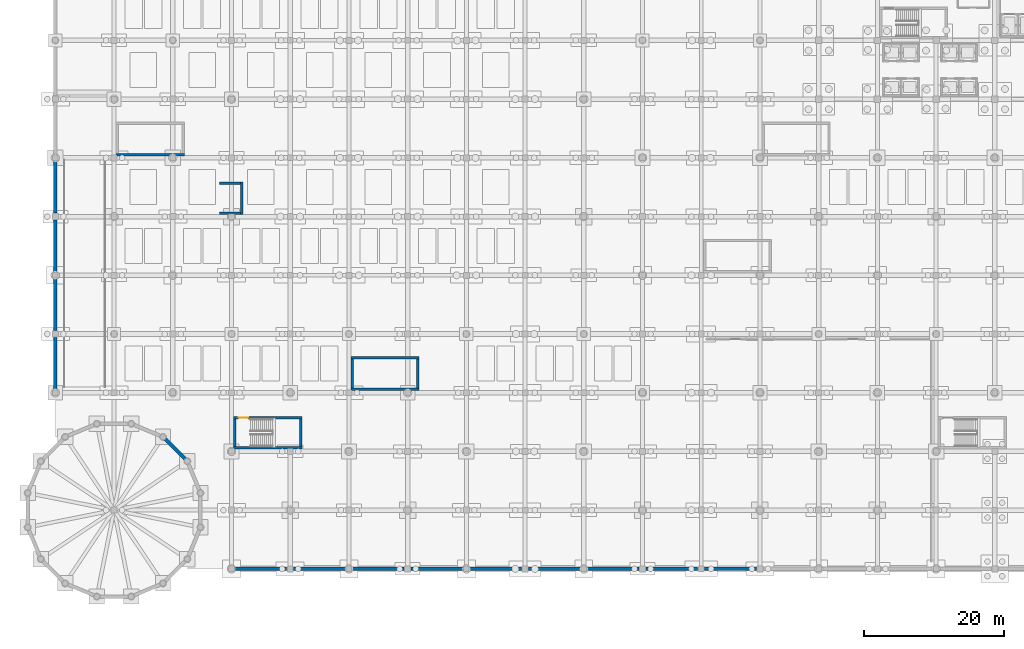
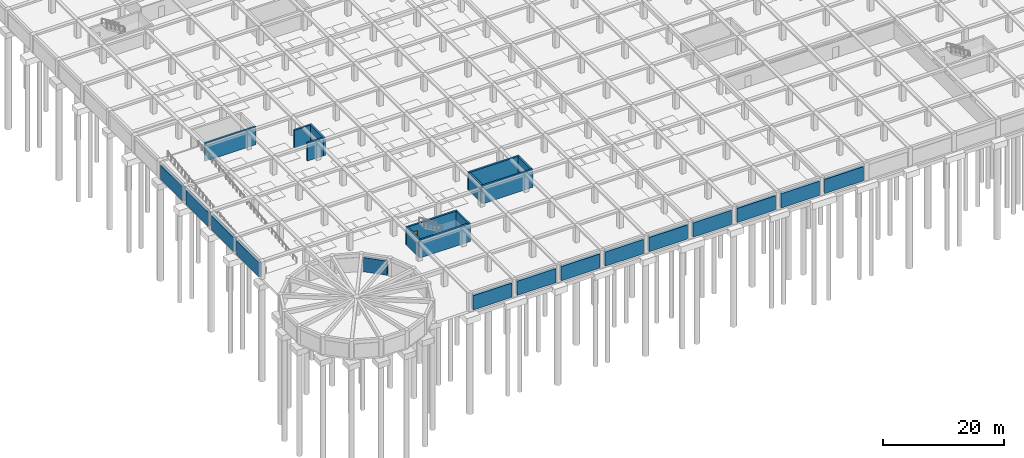
# One storey, part 18 of 47: 26 walls, 1 door, 1 opening.
"""IFC4 building model written with IfcOpenShell, lengths in metres."""

from ifc_helpers import new_model, si_unit, direction, frame, frame_2d, origin, place, context, subcontext, project, spatial, rectangle, extrude, material, layer, layer_set, type_object, element, fill, save


model = new_model("IFC4")

# Units and contexts
model_context = context("Model", 3, precision=1e-05, world=origin(), true_north=direction((0.0, 1.0)))
body_context = subcontext(model_context, "Body", "Model", "MODEL_VIEW")
ifc_project = project(units=[si_unit("LENGTHUNIT", "METRE"), si_unit("AREAUNIT", "SQUARE_METRE"), si_unit("VOLUMEUNIT", "CUBIC_METRE"), si_unit("PLANEANGLEUNIT", "RADIAN"), si_unit("MASSUNIT", "GRAM", prefix="KILO")], contexts=[model_context])

# Site, building, storey
site_placement = place(None, origin())
site = spatial("IfcSite", under=ifc_project, at=site_placement, CompositionType="ELEMENT")
building_placement = place(site_placement, origin())
building = spatial("IfcBuilding", under=site, at=building_placement, Name="Almacenes y Pasaje Nevantli", CompositionType="ELEMENT")
storey_placement = place(building_placement, frame((0.0, 0.0, -8.10009765625)))
storey = spatial("IfcBuildingStorey", under=building, at=storey_placement, Name="B02", CompositionType="ELEMENT", Elevation=-8.10009765625)

# Wall
ifc_material_1 = material(Name="Concrete C45/55", Category="concrete")
ifc_layer_1 = layer(ifc_material_1, 0.35009765625)
ifc_layer_set_1 = layer_set([ifc_layer_1], Name="Concrete C45/55")
wall_type_1 = type_object("IfcWallType", Name="WL-CORE-350", PredefinedType="SHEAR", material=ifc_layer_set_1)
wall_1_placement = place(storey_placement, frame((25.5, 17.324951171875, 0.0), z_axis=(0.0, 0.0, 1.0), x_axis=(1.0, 0.0, 0.0)))
element("IfcWall", 1, at=wall_1_placement, inside=storey, type_object=wall_type_1, Name="B02 Exit Stair ST-04 South Core Shear Wall", PredefinedType="SHEAR", context=body_context, shape_type="SweptSolid", body=[
    extrude(rectangle(XDim=9.75, YDim=0.35009765625, at=frame_2d((4.875, 0.0))), origin(), (0.0, 0.0, 1.0), 3.60009765625),
])

# Wall, opening, door
wall_2_placement = place(storey_placement, frame((25.5, 21.625, 0.0), z_axis=(0.0, 0.0, 1.0), x_axis=(1.0, 0.0, 0.0)))
wall_2 = element("IfcWall", 2, at=wall_2_placement, inside=storey, type_object=wall_type_1, Name="B02 Exit Stair ST-04 North Core Shear Wall", PredefinedType="SHEAR", context=body_context, shape_type="SweptSolid", body=[
    extrude(rectangle(XDim=9.75, YDim=0.35009765625, at=frame_2d((4.875, 0.0))), origin(), (0.0, 0.0, 1.0), 3.60009765625),
])
opening_placement = place(wall_2_placement, frame((0.719970703125, 0.0, 0.0)))
opening = element("IfcOpeningElement", 3, at=opening_placement, cuts=wall_2, Name="Opening SD-04-B02", PredefinedType="OPENING", context=body_context, shape_type="SweptSolid", body=[
    extrude(rectangle(XDim=1.35009765625, YDim=2.25, at=frame_2d((0.675048828125, 1.125))), frame((0.0, 0.18505859375, 0.0), z_axis=(0.0, -1.0, 0.0), x_axis=(1.0, 0.0, 0.0)), (0.0, 0.0, 1.0), 0.3701171875),
])
ifc_material_2 = material(Name="Galvanized Fire-Rated Steel", Category="steel")
door_type = type_object("IfcDoorType", Name="DR-STAIR-1350R", OperationType="SINGLE_SWING_RIGHT", PredefinedType="DOOR", material=ifc_material_2)
door_placement = place(opening_placement, origin())
door = element("IfcDoor", 4, at=door_placement, inside=storey, type_object=door_type, Name="B02 Smokeproof Exit Stair ST-04 Fire Door", OperationType="SINGLE_SWING_RIGHT", OverallHeight=2.25, OverallWidth=1.35009765625, PredefinedType="DOOR", context=body_context, shape_type="SweptSolid", body=[
    extrude(rectangle(XDim=1.35009765625, YDim=2.25, at=frame_2d((0.675048828125, 1.125))), frame((0.0, 0.02490234375, 0.0), z_axis=(0.0, -1.0, 0.0), x_axis=(1.0, 0.0, 0.0)), (0.0, 0.0, 1.0), 0.050048828125),
])
fill(opening, door)

# Walls
for number, where, z_axis, x_axis, name in (
    (5, (25.675048828125, 17.5, 0.0), (0.0, 0.0, 1.0), (0.0, 1.0, 0.0), "B02 Exit Stair ST-04 West Core Shear Wall"),
    (6, (35.074951171875, 17.5, 0.0), (0.0, 0.0, 1.0), (0.0, 1.0, 0.0), "B02 Exit Stair ST-04 East Core Shear Wall"),
):
    element("IfcWall", number, at=place(storey_placement, frame(where, z_axis=z_axis, x_axis=x_axis)), inside=storey, type_object=wall_type_1, Name=name, PredefinedType="SHEAR", context=body_context, shape_type="SweptSolid", body=[
        extrude(rectangle(XDim=3.949951171875, YDim=0.35009765625, at=frame_2d((1.97509765625, 0.0))), origin(), (0.0, 0.0, 1.0), 3.60009765625),
    ])
for number, where, z_axis, x_axis, name in (
    (7, (8.699951171875, 59.27490234375, 0.0), (0.0, 0.0, 1.0), (1.0, 0.0, 0.0), "B02 Exit Stair ST-12 South Core Shear Wall"),
    (8, (42.300048828125, 25.675048828125, 0.0), (0.0, 0.0, 1.0), (1.0, 0.0, 0.0), "B02 Exit Stair ST-14 South Core Shear Wall"),
    (9, (42.300048828125, 30.175048828125, 0.0), (0.0, 0.0, 1.0), (1.0, 0.0, 0.0), "B02 Exit Stair ST-14 North Core Shear Wall"),
):
    element("IfcWall", number, at=place(storey_placement, frame(where, z_axis=z_axis, x_axis=x_axis)), inside=storey, type_object=wall_type_1, Name=name, PredefinedType="SHEAR", context=body_context, shape_type="SweptSolid", body=[
        extrude(rectangle(XDim=9.75, YDim=0.35009765625, at=frame_2d((4.875, 0.0))), origin(), (0.0, 0.0, 1.0), 3.60009765625),
    ])
for number, where, z_axis, x_axis, name in (
    (10, (42.47509765625, 25.85009765625, 0.0), (0.0, 0.0, 1.0), (0.0, 1.0, 0.0), "B02 Exit Stair ST-14 West Core Shear Wall"),
    (11, (51.875, 25.85009765625, 0.0), (0.0, 0.0, 1.0), (0.0, 1.0, 0.0), "B02 Exit Stair ST-14 East Core Shear Wall"),
):
    element("IfcWall", number, at=place(storey_placement, frame(where, z_axis=z_axis, x_axis=x_axis)), inside=storey, type_object=wall_type_1, Name=name, PredefinedType="SHEAR", context=body_context, shape_type="SweptSolid", body=[
        extrude(rectangle(XDim=4.14990234375, YDim=0.35009765625, at=frame_2d((2.074951171875, 0.0))), origin(), (0.0, 0.0, 1.0), 3.60009765625),
    ])
wall_3_placement = place(storey_placement, frame((26.675048828125, 50.699951171875, 0.0), z_axis=(0.0, 0.0, 1.0), x_axis=(0.0, 1.0, 0.0)))
element("IfcWall", 12, at=wall_3_placement, inside=storey, type_object=wall_type_1, Name="B02 Monumental Stair East Support Shear Wall", PredefinedType="SHEAR", context=body_context, shape_type="SweptSolid", body=[
    extrude(rectangle(XDim=4.650146484375, YDim=0.35009765625, at=frame_2d((2.3251953125, 0.0))), origin(), (0.0, 0.0, 1.0), 3.60009765625),
])
for number, where, z_axis, x_axis, name in (
    (13, (23.449951171875, 50.875, 0.0), (0.0, 0.0, 1.0), (1.0, 0.0, 0.0), "B02 Monumental Stair South Support Shear Wall"),
    (14, (23.449951171875, 55.175048828125, 0.0), (0.0, 0.0, 1.0), (1.0, 0.0, 0.0), "B02 Monumental Stair North Support Shear Wall"),
):
    element("IfcWall", number, at=place(storey_placement, frame(where, z_axis=z_axis, x_axis=x_axis)), inside=storey, type_object=wall_type_1, Name=name, PredefinedType="SHEAR", context=body_context, shape_type="SweptSolid", body=[
        extrude(rectangle(XDim=3.050048828125, YDim=0.35009765625, at=frame_2d((1.52490234375, 0.0))), origin(), (0.0, 0.0, 1.0), 3.60009765625),
    ])
ifc_material_3 = material(Name="Concrete C45/55", Category="concrete")
ifc_layer_2 = layer(ifc_material_3, 0.5)
ifc_layer_set_2 = layer_set([ifc_layer_2], Name="Concrete C45/55")
wall_type_2 = type_object("IfcWallType", Name="WL-RET-500", PredefinedType="SHEAR", material=ifc_layer_set_2)
wall_4_placement = place(storey_placement, frame((25.699951171875, 0.0, 0.0), z_axis=(0.0, 0.0, 1.0), x_axis=(1.0, 0.0, 0.0)))
element("IfcWall", 15, at=wall_4_placement, inside=storey, type_object=wall_type_2, Name="B02 South Basement Retaining Shear Wall #4", PredefinedType="SHEAR", context=body_context, shape_type="SweptSolid", body=[
    extrude(rectangle(XDim=7.400146484375, YDim=0.5, at=frame_2d((3.7001953125, 0.0))), origin(), (0.0, 0.0, 1.0), 2.880126953125),
])
for number, where, z_axis, x_axis, name in (
    (16, (34.10009765625, 0.0, 0.0), (0.0, 0.0, 1.0), (1.0, 0.0, 0.0), "B02 South Basement Retaining Shear Wall #5"),
    (17, (42.5, 0.0, 0.0), (0.0, 0.0, 1.0), (1.0, 0.0, 0.0), "B02 South Basement Retaining Shear Wall #6"),
):
    element("IfcWall", number, at=place(storey_placement, frame(where, z_axis=z_axis, x_axis=x_axis)), inside=storey, type_object=wall_type_2, Name=name, PredefinedType="SHEAR", context=body_context, shape_type="SweptSolid", body=[
        extrude(rectangle(XDim=7.39990234375, YDim=0.5, at=frame_2d((3.699951171875, 0.0))), origin(), (0.0, 0.0, 1.0), 2.880126953125),
    ])
wall_5_placement = place(storey_placement, frame((50.89990234375, 0.0, 0.0), z_axis=(0.0, 0.0, 1.0), x_axis=(1.0, 0.0, 0.0)))
element("IfcWall", 18, at=wall_5_placement, inside=storey, type_object=wall_type_2, Name="B02 South Basement Retaining Shear Wall #7", PredefinedType="SHEAR", context=body_context, shape_type="SweptSolid", body=[
    extrude(rectangle(XDim=7.400146484375, YDim=0.5, at=frame_2d((3.7001953125, 0.0))), origin(), (0.0, 0.0, 1.0), 2.880126953125),
])
wall_6_placement = place(storey_placement, frame((59.300048828125, 0.0, 0.0), z_axis=(0.0, 0.0, 1.0), x_axis=(1.0, 0.0, 0.0)))
element("IfcWall", 19, at=wall_6_placement, inside=storey, type_object=wall_type_2, Name="B02 South Basement Retaining Shear Wall #8", PredefinedType="SHEAR", context=body_context, shape_type="SweptSolid", body=[
    extrude(rectangle(XDim=7.39990234375, YDim=0.5, at=frame_2d((3.699951171875, 0.0))), origin(), (0.0, 0.0, 1.0), 2.880126953125),
])
wall_7_placement = place(storey_placement, frame((67.699951171875, 0.0, 0.0), z_axis=(0.0, 0.0, 1.0), x_axis=(1.0, 0.0, 0.0)))
element("IfcWall", 20, at=wall_7_placement, inside=storey, type_object=wall_type_2, Name="B02 South Basement Retaining Shear Wall #9", PredefinedType="SHEAR", context=body_context, shape_type="SweptSolid", body=[
    extrude(rectangle(XDim=7.400146484375, YDim=0.5, at=frame_2d((3.7001953125, 0.0))), origin(), (0.0, 0.0, 1.0), 2.880126953125),
])
for number, where, z_axis, x_axis, name in (
    (21, (76.10009765625, 0.0, 0.0), (0.0, 0.0, 1.0), (1.0, 0.0, 0.0), "B02 South Basement Retaining Shear Wall #10"),
    (22, (84.5, 0.0, 0.0), (0.0, 0.0, 1.0), (1.0, 0.0, 0.0), "B02 South Basement Retaining Shear Wall #11"),
):
    element("IfcWall", number, at=place(storey_placement, frame(where, z_axis=z_axis, x_axis=x_axis)), inside=storey, type_object=wall_type_2, Name=name, PredefinedType="SHEAR", context=body_context, shape_type="SweptSolid", body=[
        extrude(rectangle(XDim=7.39990234375, YDim=0.5, at=frame_2d((3.699951171875, 0.0))), origin(), (0.0, 0.0, 1.0), 2.880126953125),
    ])
for number, where, z_axis, x_axis, name in (
    (23, (92.89990234375, 0.0, 0.0), (0.0, 0.0, 1.0), (1.0, 0.0, 0.0), "B02 South Basement Retaining Shear Wall #12"),
    (24, (0.0, 25.699951171875, 0.0), (0.0, 0.0, 1.0), (0.0, 1.0, 0.0), "B02 West Basement Retaining Shear Wall #4"),
):
    element("IfcWall", number, at=place(storey_placement, frame(where, z_axis=z_axis, x_axis=x_axis)), inside=storey, type_object=wall_type_2, Name=name, PredefinedType="SHEAR", context=body_context, shape_type="SweptSolid", body=[
        extrude(rectangle(XDim=7.400146484375, YDim=0.5, at=frame_2d((3.7001953125, 0.0))), origin(), (0.0, 0.0, 1.0), 2.880126953125),
    ])
for number, where, z_axis, x_axis, name in (
    (25, (0.0, 34.10009765625, 0.0), (0.0, 0.0, 1.0), (0.0, 1.0, 0.0), "B02 West Basement Retaining Shear Wall #5"),
    (26, (0.0, 42.5, 0.0), (0.0, 0.0, 1.0), (0.0, 1.0, 0.0), "B02 West Basement Retaining Shear Wall #6"),
):
    element("IfcWall", number, at=place(storey_placement, frame(where, z_axis=z_axis, x_axis=x_axis)), inside=storey, type_object=wall_type_2, Name=name, PredefinedType="SHEAR", context=body_context, shape_type="SweptSolid", body=[
        extrude(rectangle(XDim=7.39990234375, YDim=0.5, at=frame_2d((3.699951171875, 0.0))), origin(), (0.0, 0.0, 1.0), 2.880126953125),
    ])
wall_8_placement = place(storey_placement, frame((0.0, 50.89990234375, 0.0), z_axis=(0.0, 0.0, 1.0), x_axis=(0.0, 1.0, 0.0)))
element("IfcWall", 27, at=wall_8_placement, inside=storey, type_object=wall_type_2, Name="B02 West Basement Retaining Shear Wall #7", PredefinedType="SHEAR", context=body_context, shape_type="SweptSolid", body=[
    extrude(rectangle(XDim=7.400146484375, YDim=0.5, at=frame_2d((3.7001953125, 0.0))), origin(), (0.0, 0.0, 1.0), 2.880126953125),
])
wall_9_placement = place(storey_placement, frame((18.558349609375, 15.71826171875, 0.0), z_axis=(0.0, 0.0, 1.0), x_axis=(-0.707106781187, 0.707106781187, 0.0)))
element("IfcWall", 28, at=wall_9_placement, inside=storey, type_object=wall_type_2, Name="B02 Rotunda Basement Retaining Shear Wall #2", PredefinedType="SHEAR", context=body_context, shape_type="SweptSolid", body=[
    extrude(rectangle(XDim=4.0166015625, YDim=0.5, at=frame_2d((2.00830078125, 0.0))), origin(), (0.0, 0.0, 1.0), 2.880126953125),
])

save(model, "model.ifc")
